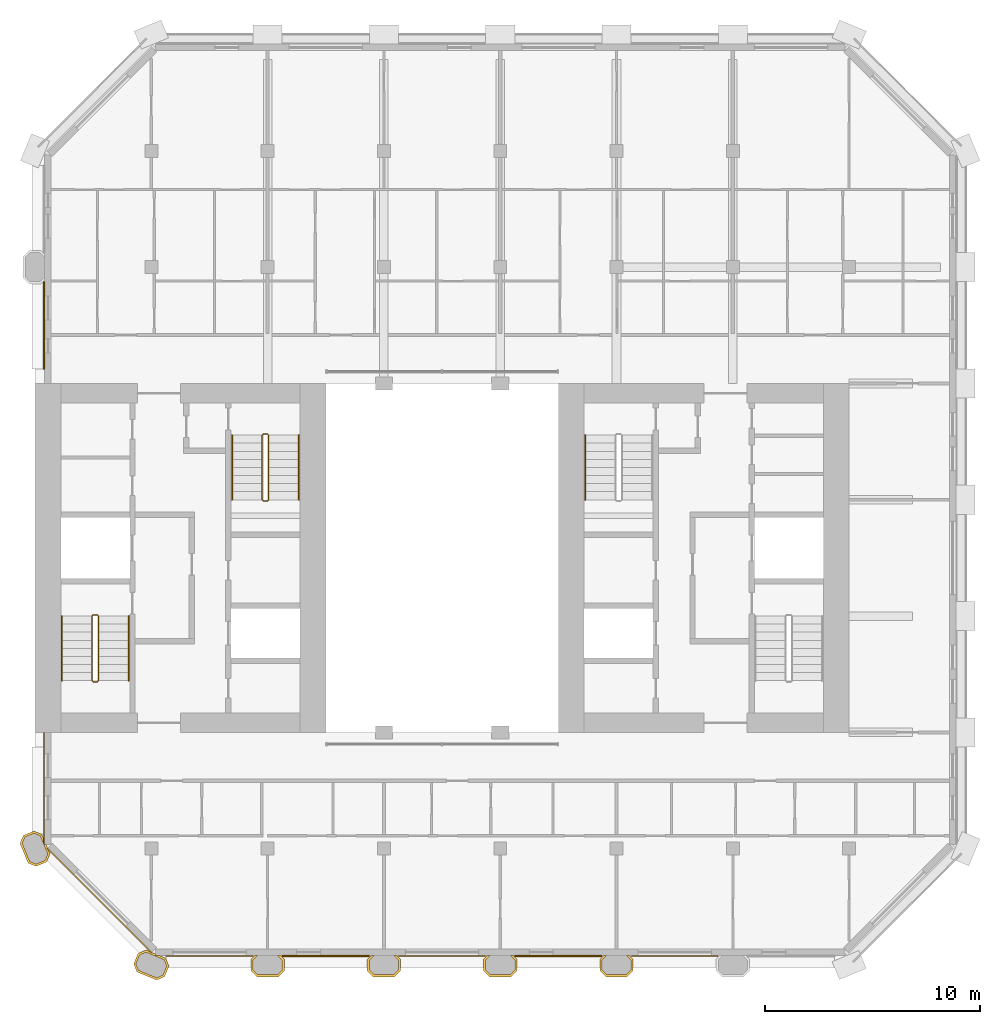
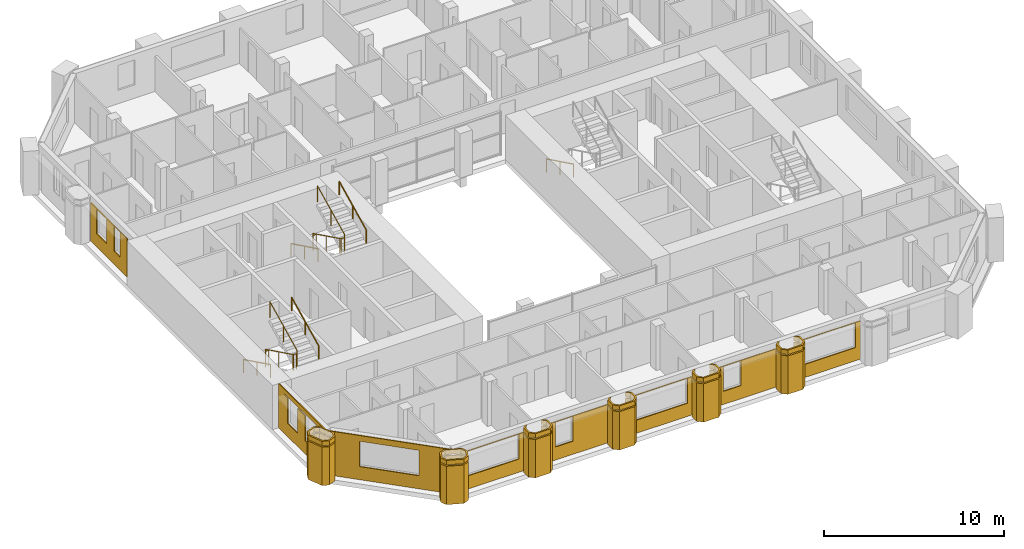
# One storey, part 11 of 13: 20 coverings, 7 railings.
"""IFC4 building model written with IfcOpenShell, lengths in metres."""

from ifc_helpers import new_model, si_unit, direction, frame, origin, origin_2d, place, context, subcontext, project, spatial, polyline, circle, outline, extrude, material, layer, layer_set, type_object, element, save


model = new_model("IFC4")

# Units and contexts
model_context = context("Model", 3, precision=1e-05, world=origin(), true_north=direction((0.0, 1.0)))
body_context = subcontext(model_context, "Body", "Model", "MODEL_VIEW")
ifc_project = project(units=[si_unit("LENGTHUNIT", "METRE"), si_unit("AREAUNIT", "SQUARE_METRE"), si_unit("VOLUMEUNIT", "CUBIC_METRE"), si_unit("PLANEANGLEUNIT", "RADIAN"), si_unit("MASSUNIT", "GRAM", prefix="KILO")], contexts=[model_context])

# Site, building, storey
site_placement = place(None, origin())
site = spatial("IfcSite", under=ifc_project, at=site_placement, CompositionType="ELEMENT")
building_placement = place(site_placement, origin())
building = spatial("IfcBuilding", under=site, at=building_placement, Name="Tabaq Tower and Sports Hall", CompositionType="ELEMENT")
storey_placement = place(building_placement, frame((0.0, 0.0, 295.0)))
storey = spatial("IfcBuildingStorey", under=building, at=storey_placement, Name="L73", CompositionType="ELEMENT", Elevation=295.0)

# Coverings
ifc_material_1 = material(Name="Precast concrete C60/75", Category="concrete")
ifc_layer_1 = layer(ifc_material_1, 0.10009765625)
ifc_layer_set_1 = layer_set([ifc_layer_1], Name="Column cladding 100")
covering_type_1 = type_object("IfcCoveringType", Name="Column cladding 100", PredefinedType="CLADDING", material=ifc_layer_set_1)
covering_1_placement = place(storey_placement, origin())
element("IfcCovering", 1, at=covering_1_placement, inside=storey, type_object=covering_type_1, Name="Column cladding L73 PC-2C-R2", PredefinedType="CLADDING", context=body_context, shape_type="SweptSolid", body=[
    extrude(outline(polyline([(5.450439453125, 9.982421875), (5.080078125, 10.1357421875), (4.7041015625, 11.04345703125), (4.857421875, 11.413818359375), (5.349609375, 11.61767578125), (5.7197265625, 11.46435546875), (5.789794921875, 11.295654296875), (5.789794921875, 11.04296875), (5.849609375, 11.04296875), (5.849609375, 10.986083984375), (5.91796875, 10.986083984375), (5.9814453125, 10.83251953125), (5.9501953125, 10.801025390625), (6.026123046875, 10.72509765625), (6.095947265625, 10.556396484375), (5.9423828125, 10.186279296875), (5.450439453125, 9.982421875)]), holes=[polyline([(5.349609375, 11.510009765625), (4.93359375, 11.337646484375), (4.811767578125, 11.04345703125), (5.15625, 10.2119140625), (5.450439453125, 10.08984375), (5.866455078125, 10.26220703125), (5.98828125, 10.556396484375), (5.643798828125, 11.38818359375), (5.349609375, 11.510009765625)])]), origin(), (0.0, 0.0, 1.0), 2.60009765625),
])
covering_2_placement = place(storey_placement, frame((0.0, 0.0, 2.699951171875)))
element("IfcCovering", 2, at=covering_2_placement, inside=storey, type_object=covering_type_1, Name="Column cladding L73 PC-2C-R2 2", PredefinedType="CLADDING", context=body_context, shape_type="SweptSolid", body=[
    extrude(outline(polyline([(5.450439453125, 9.982421875), (5.080078125, 10.1357421875), (4.7041015625, 11.04345703125), (4.857421875, 11.413818359375), (5.349609375, 11.61767578125), (5.7197265625, 11.46435546875), (5.789794921875, 11.295654296875), (5.789794921875, 11.04296875), (5.849609375, 11.04296875), (5.849609375, 10.986083984375), (5.91796875, 10.986083984375), (5.9814453125, 10.83251953125), (5.9501953125, 10.801025390625), (6.026123046875, 10.72509765625), (6.095947265625, 10.556396484375), (5.9423828125, 10.186279296875), (5.450439453125, 9.982421875)]), holes=[polyline([(5.349609375, 11.510009765625), (4.93359375, 11.337646484375), (4.811767578125, 11.04345703125), (5.15625, 10.2119140625), (5.450439453125, 10.08984375), (5.866455078125, 10.26220703125), (5.98828125, 10.556396484375), (5.643798828125, 11.38818359375), (5.349609375, 11.510009765625)])]), origin(), (0.0, 0.0, 1.0), 0.300048828125),
])
covering_3_placement = place(storey_placement, origin())
element("IfcCovering", 3, at=covering_3_placement, inside=storey, type_object=covering_type_1, Name="Column cladding L73 PC-3B-R2", PredefinedType="CLADDING", context=body_context, shape_type="SweptSolid", body=[
    extrude(outline(polyline([(11.413818359375, 4.857421875), (11.04345703125, 4.7041015625), (10.1357421875, 5.080078125), (9.982421875, 5.450439453125), (10.186279296875, 5.9423828125), (10.556396484375, 6.095947265625), (10.72509765625, 6.026123046875), (10.801025390625, 5.9501953125), (10.83251953125, 5.9814453125), (10.986083984375, 5.91796875), (10.986083984375, 5.849609375), (11.15087890625, 5.849609375), (11.46435546875, 5.7197265625), (11.61767578125, 5.349609375), (11.413818359375, 4.857421875)]), holes=[polyline([(10.26220703125, 5.866455078125), (10.08984375, 5.450439453125), (10.2119140625, 5.15625), (11.04345703125, 4.811767578125), (11.337646484375, 4.93359375), (11.510009765625, 5.349609375), (11.38818359375, 5.643798828125), (10.556396484375, 5.98828125), (10.26220703125, 5.866455078125)])]), origin(), (0.0, 0.0, 1.0), 2.60009765625),
])
covering_4_placement = place(storey_placement, frame((0.0, 0.0, 2.699951171875)))
element("IfcCovering", 4, at=covering_4_placement, inside=storey, type_object=covering_type_1, Name="Column cladding L73 PC-3B-R2 2", PredefinedType="CLADDING", context=body_context, shape_type="SweptSolid", body=[
    extrude(outline(polyline([(11.413818359375, 4.857421875), (11.04345703125, 4.7041015625), (10.1357421875, 5.080078125), (9.982421875, 5.450439453125), (10.186279296875, 5.9423828125), (10.556396484375, 6.095947265625), (10.72509765625, 6.026123046875), (10.801025390625, 5.9501953125), (10.83251953125, 5.9814453125), (10.986083984375, 5.91796875), (10.986083984375, 5.849609375), (11.15087890625, 5.849609375), (11.46435546875, 5.7197265625), (11.61767578125, 5.349609375), (11.413818359375, 4.857421875)]), holes=[polyline([(10.26220703125, 5.866455078125), (10.08984375, 5.450439453125), (10.2119140625, 5.15625), (11.04345703125, 4.811767578125), (11.337646484375, 4.93359375), (11.510009765625, 5.349609375), (11.38818359375, 5.643798828125), (10.556396484375, 5.98828125), (10.26220703125, 5.866455078125)])]), origin(), (0.0, 0.0, 1.0), 0.300048828125),
])
covering_5_placement = place(storey_placement, origin())
element("IfcCovering", 5, at=covering_5_placement, inside=storey, type_object=covering_type_1, Name="Column cladding L73 PC-4B-R2", PredefinedType="CLADDING", context=body_context, shape_type="SweptSolid", body=[
    extrude(outline(polyline([(15.42529296875, 5.666259765625), (15.608642578125, 5.849609375), (15.749267578125, 5.849609375), (15.524658203125, 5.625244140625), (15.524658203125, 5.1748046875), (15.749755859375, 4.94970703125), (16.650146484375, 4.94970703125), (16.875244140625, 5.1748046875), (16.875244140625, 5.625244140625), (16.650634765625, 5.849609375), (16.791259765625, 5.849609375), (16.974609375, 5.666259765625), (16.974609375, 5.1337890625), (16.69140625, 4.850341796875), (15.708740234375, 4.850341796875), (15.42529296875, 5.1337890625), (15.42529296875, 5.666259765625)])), origin(), (0.0, 0.0, 1.0), 2.60009765625),
])
covering_6_placement = place(storey_placement, frame((0.0, 0.0, 2.699951171875)))
element("IfcCovering", 6, at=covering_6_placement, inside=storey, type_object=covering_type_1, Name="Column cladding L73 PC-4B-R2 2", PredefinedType="CLADDING", context=body_context, shape_type="SweptSolid", body=[
    extrude(outline(polyline([(15.42529296875, 5.666259765625), (15.608642578125, 5.849609375), (15.749267578125, 5.849609375), (15.524658203125, 5.625244140625), (15.524658203125, 5.1748046875), (15.749755859375, 4.94970703125), (16.650146484375, 4.94970703125), (16.875244140625, 5.1748046875), (16.875244140625, 5.625244140625), (16.650634765625, 5.849609375), (16.791259765625, 5.849609375), (16.974609375, 5.666259765625), (16.974609375, 5.1337890625), (16.69140625, 4.850341796875), (15.708740234375, 4.850341796875), (15.42529296875, 5.1337890625), (15.42529296875, 5.666259765625)])), origin(), (0.0, 0.0, 1.0), 0.300048828125),
])
covering_7_placement = place(storey_placement, origin())
element("IfcCovering", 7, at=covering_7_placement, inside=storey, type_object=covering_type_1, Name="Column cladding L73 PC-5B-R2", PredefinedType="CLADDING", context=body_context, shape_type="SweptSolid", body=[
    extrude(outline(polyline([(20.8251953125, 5.666259765625), (21.0087890625, 5.849609375), (21.149169921875, 5.849609375), (20.9248046875, 5.625244140625), (20.9248046875, 5.1748046875), (21.14990234375, 4.94970703125), (22.050048828125, 4.94970703125), (22.275390625, 5.1748046875), (22.275390625, 5.625244140625), (22.05078125, 5.849609375), (22.19140625, 5.849609375), (22.374755859375, 5.666259765625), (22.374755859375, 5.1337890625), (22.09130859375, 4.850341796875), (21.108642578125, 4.850341796875), (20.8251953125, 5.1337890625), (20.8251953125, 5.666259765625)])), origin(), (0.0, 0.0, 1.0), 2.60009765625),
])
covering_8_placement = place(storey_placement, frame((0.0, 0.0, 2.699951171875)))
element("IfcCovering", 8, at=covering_8_placement, inside=storey, type_object=covering_type_1, Name="Column cladding L73 PC-5B-R2 2", PredefinedType="CLADDING", context=body_context, shape_type="SweptSolid", body=[
    extrude(outline(polyline([(20.8251953125, 5.666259765625), (21.0087890625, 5.849609375), (21.149169921875, 5.849609375), (20.9248046875, 5.625244140625), (20.9248046875, 5.1748046875), (21.14990234375, 4.94970703125), (22.050048828125, 4.94970703125), (22.275390625, 5.1748046875), (22.275390625, 5.625244140625), (22.05078125, 5.849609375), (22.19140625, 5.849609375), (22.374755859375, 5.666259765625), (22.374755859375, 5.1337890625), (22.09130859375, 4.850341796875), (21.108642578125, 4.850341796875), (20.8251953125, 5.1337890625), (20.8251953125, 5.666259765625)])), origin(), (0.0, 0.0, 1.0), 0.300048828125),
])
covering_9_placement = place(storey_placement, origin())
element("IfcCovering", 9, at=covering_9_placement, inside=storey, type_object=covering_type_1, Name="Column cladding L73 PC-6B-R2", PredefinedType="CLADDING", context=body_context, shape_type="SweptSolid", body=[
    extrude(outline(polyline([(26.225341796875, 5.666259765625), (26.40869140625, 5.849609375), (26.54931640625, 5.849609375), (26.32470703125, 5.625244140625), (26.32470703125, 5.1748046875), (26.5498046875, 4.94970703125), (27.4501953125, 4.94970703125), (27.67529296875, 5.1748046875), (27.67529296875, 5.625244140625), (27.45068359375, 5.849609375), (27.59130859375, 5.849609375), (27.774658203125, 5.666259765625), (27.774658203125, 5.1337890625), (27.4912109375, 4.850341796875), (26.5087890625, 4.850341796875), (26.225341796875, 5.1337890625), (26.225341796875, 5.666259765625)])), origin(), (0.0, 0.0, 1.0), 2.60009765625),
])
covering_10_placement = place(storey_placement, frame((0.0, 0.0, 2.699951171875)))
element("IfcCovering", 10, at=covering_10_placement, inside=storey, type_object=covering_type_1, Name="Column cladding L73 PC-6B-R2 2", PredefinedType="CLADDING", context=body_context, shape_type="SweptSolid", body=[
    extrude(outline(polyline([(26.225341796875, 5.666259765625), (26.40869140625, 5.849609375), (26.54931640625, 5.849609375), (26.32470703125, 5.625244140625), (26.32470703125, 5.1748046875), (26.5498046875, 4.94970703125), (27.4501953125, 4.94970703125), (27.67529296875, 5.1748046875), (27.67529296875, 5.625244140625), (27.45068359375, 5.849609375), (27.59130859375, 5.849609375), (27.774658203125, 5.666259765625), (27.774658203125, 5.1337890625), (27.4912109375, 4.850341796875), (26.5087890625, 4.850341796875), (26.225341796875, 5.1337890625), (26.225341796875, 5.666259765625)])), origin(), (0.0, 0.0, 1.0), 0.300048828125),
])
covering_11_placement = place(storey_placement, origin())
element("IfcCovering", 11, at=covering_11_placement, inside=storey, type_object=covering_type_1, Name="Column cladding L73 PC-7B-R2", PredefinedType="CLADDING", context=body_context, shape_type="SweptSolid", body=[
    extrude(outline(polyline([(31.625244140625, 5.666259765625), (31.80859375, 5.849609375), (31.94921875, 5.849609375), (31.724609375, 5.625244140625), (31.724609375, 5.1748046875), (31.949951171875, 4.94970703125), (32.85009765625, 4.94970703125), (33.0751953125, 5.1748046875), (33.0751953125, 5.625244140625), (32.850830078125, 5.849609375), (32.9912109375, 5.849609375), (33.1748046875, 5.666259765625), (33.1748046875, 5.1337890625), (32.891357421875, 4.850341796875), (31.90869140625, 4.850341796875), (31.625244140625, 5.1337890625), (31.625244140625, 5.666259765625)])), origin(), (0.0, 0.0, 1.0), 2.60009765625),
])
covering_12_placement = place(storey_placement, frame((0.0, 0.0, 2.699951171875)))
element("IfcCovering", 12, at=covering_12_placement, inside=storey, type_object=covering_type_1, Name="Column cladding L73 PC-7B-R2 2", PredefinedType="CLADDING", context=body_context, shape_type="SweptSolid", body=[
    extrude(outline(polyline([(31.625244140625, 5.666259765625), (31.80859375, 5.849609375), (31.94921875, 5.849609375), (31.724609375, 5.625244140625), (31.724609375, 5.1748046875), (31.949951171875, 4.94970703125), (32.85009765625, 4.94970703125), (33.0751953125, 5.1748046875), (33.0751953125, 5.625244140625), (32.850830078125, 5.849609375), (32.9912109375, 5.849609375), (33.1748046875, 5.666259765625), (33.1748046875, 5.1337890625), (32.891357421875, 4.850341796875), (31.90869140625, 4.850341796875), (31.625244140625, 5.1337890625), (31.625244140625, 5.666259765625)])), origin(), (0.0, 0.0, 1.0), 0.300048828125),
])

# Railings
ifc_material_2 = material(Name="Stainless steel", Category="steel")
railing_type_1 = type_object("IfcRailingType", Name="Stair guard", PredefinedType="GUARDRAIL", material=ifc_material_2)
railing_1_placement = place(storey_placement, frame((8.300048828125, 21.64990234375, 0.0)))
element("IfcRailing", 13, at=railing_1_placement, inside=storey, type_object=railing_type_1, Name="L73 ST1 stair guard 1", PredefinedType="GUARDRAIL", context=body_context, shape_type="SweptSolid", body=[
    extrude(circle(Radius=0.02392578125, at=origin_2d()), frame((0.0, 0.0, 1.076171875), z_axis=(-1.0, 0.0, 0.0), x_axis=(0.0, -1.0, 0.0)), (0.0, 0.0, 1.0), 0.199951171875),
    extrude(circle(Radius=0.02392578125, at=origin_2d()), frame((-0.199951171875, 0.0, 1.076171875), z_axis=(-0.254733673405, -0.25349107012, 0.933195066962), x_axis=(0.705375805398, -0.708833529934, 0.0)), (0.0, 0.0, 1.0), 0.196533203125),
    extrude(circle(Radius=0.02392578125, at=origin_2d()), frame((-0.25, -0.0498046875, 1.25927734375), z_axis=(0.0, -0.898397823093, 0.439182594671), x_axis=(1.0, 0.0, 0.0)), (0.0, 0.0, 1.0), 3.33935546875),
    extrude(circle(Radius=0.02392578125, at=origin_2d()), frame((-0.25, -3.0498046875, 2.72607421875), z_axis=(0.707106781187, -0.707106781187, 0.0), x_axis=(0.707106781187, 0.707106781187, 0.0)), (0.0, 0.0, 1.0), 0.07080078125),
    extrude(circle(Radius=0.02392578125, at=origin_2d()), frame((-0.199951171875, -3.099853515625, 2.72607421875), z_axis=(1.0, 0.0, 0.0), x_axis=(0.0, 1.0, 0.0)), (0.0, 0.0, 1.0), 0.199951171875),
    extrude(circle(Radius=0.02392578125, at=origin_2d()), frame((0.0, -3.099853515625, 2.72607421875), z_axis=(0.254653276557, 0.254653276557, 0.932900539971), x_axis=(-0.707106781187, 0.707106781187, 0.0)), (0.0, 0.0, 1.0), 0.196533203125),
    extrude(circle(Radius=0.02392578125, at=origin_2d()), frame((0.050048828125, -3.0498046875, 2.9091796875), z_axis=(0.0, 0.898368975038, 0.439241601728), x_axis=(-1.0, 0.0, 0.0)), (0.0, 0.0, 1.0), 3.33935546875),
    extrude(circle(Radius=0.02099609375, at=origin_2d()), origin(), (0.0, 0.0, 1.0), 1.052001953125),
    extrude(circle(Radius=0.02099609375, at=origin_2d()), frame((-0.199951171875, 0.0, 0.0)), (0.0, 0.0, 1.0), 1.052001953125),
    extrude(circle(Radius=0.02099609375, at=origin_2d()), frame((-0.25, -0.0498046875, 0.183349609375)), (0.0, 0.0, 1.0), 1.052001953125),
    extrude(circle(Radius=0.02099609375, at=origin_2d()), frame((-0.25, -1.5498046875, 0.91650390625)), (0.0, 0.0, 1.0), 1.052001953125),
    extrude(circle(Radius=0.02099609375, at=origin_2d()), frame((-0.25, -3.0498046875, 1.64990234375)), (0.0, 0.0, 1.0), 1.052001953125),
    extrude(circle(Radius=0.02099609375, at=origin_2d()), frame((-0.199951171875, -3.099853515625, 1.64990234375)), (0.0, 0.0, 1.0), 1.052001953125),
    extrude(circle(Radius=0.02099609375, at=origin_2d()), frame((0.0, -3.099853515625, 1.64990234375)), (0.0, 0.0, 1.0), 1.052001953125),
    extrude(circle(Radius=0.02099609375, at=origin_2d()), frame((0.050048828125, -3.0498046875, 1.833251953125)), (0.0, 0.0, 1.0), 1.052001953125),
    extrude(circle(Radius=0.02099609375, at=origin_2d()), frame((0.050048828125, -1.5498046875, 2.566650390625)), (0.0, 0.0, 1.0), 1.052001953125),
    extrude(circle(Radius=0.02099609375, at=origin_2d()), frame((0.050048828125, -0.0498046875, 3.300048828125)), (0.0, 0.0, 1.0), 1.052001953125),
])
railing_2_placement = place(storey_placement, frame((16.199951171875, 30.050048828125, 0.0)))
element("IfcRailing", 14, at=railing_2_placement, inside=storey, type_object=railing_type_1, Name="L73 ST2 stair guard 1", PredefinedType="GUARDRAIL", context=body_context, shape_type="SweptSolid", body=[
    extrude(circle(Radius=0.02392578125, at=origin_2d()), frame((0.0, 0.0, 1.076171875), z_axis=(-1.0, 0.0, 0.0), x_axis=(0.0, -1.0, 0.0)), (0.0, 0.0, 1.0), 0.199951171875),
    extrude(circle(Radius=0.02392578125, at=origin_2d()), frame((-0.199951171875, 0.0, 1.076171875), z_axis=(-0.254653276557, -0.254653276557, 0.932900539971), x_axis=(0.707106781187, -0.707106781187, 0.0)), (0.0, 0.0, 1.0), 0.196533203125),
    extrude(circle(Radius=0.02392578125, at=origin_2d()), frame((-0.25, -0.050048828125, 1.25927734375), z_axis=(0.0, -0.898397823093, 0.439182594671), x_axis=(1.0, 0.0, 0.0)), (0.0, 0.0, 1.0), 3.33935546875),
    extrude(circle(Radius=0.02392578125, at=origin_2d()), frame((-0.25, -3.050048828125, 2.72607421875), z_axis=(0.707106781187, -0.707106781187, 0.0), x_axis=(0.707106781187, 0.707106781187, 0.0)), (0.0, 0.0, 1.0), 0.07080078125),
    extrude(circle(Radius=0.02392578125, at=origin_2d()), frame((-0.199951171875, -3.10009765625, 2.72607421875), z_axis=(1.0, 0.0, 0.0), x_axis=(0.0, 1.0, 0.0)), (0.0, 0.0, 1.0), 0.199951171875),
    extrude(circle(Radius=0.02392578125, at=origin_2d()), frame((0.0, -3.10009765625, 2.72607421875), z_axis=(0.254653276557, 0.254653276557, 0.932900539971), x_axis=(-0.707106781187, 0.707106781187, 0.0)), (0.0, 0.0, 1.0), 0.196533203125),
    extrude(circle(Radius=0.02392578125, at=origin_2d()), frame((0.050048828125, -3.050048828125, 2.9091796875), z_axis=(0.0, 0.898368975038, 0.439241601728), x_axis=(-1.0, 0.0, 0.0)), (0.0, 0.0, 1.0), 3.33935546875),
    extrude(circle(Radius=0.02099609375, at=origin_2d()), origin(), (0.0, 0.0, 1.0), 1.052001953125),
    extrude(circle(Radius=0.02099609375, at=origin_2d()), frame((-0.199951171875, 0.0, 0.0)), (0.0, 0.0, 1.0), 1.052001953125),
    extrude(circle(Radius=0.02099609375, at=origin_2d()), frame((-0.25, -0.050048828125, 0.183349609375)), (0.0, 0.0, 1.0), 1.052001953125),
    extrude(circle(Radius=0.02099609375, at=origin_2d()), frame((-0.25, -1.550048828125, 0.91650390625)), (0.0, 0.0, 1.0), 1.052001953125),
    extrude(circle(Radius=0.02099609375, at=origin_2d()), frame((-0.25, -3.050048828125, 1.64990234375)), (0.0, 0.0, 1.0), 1.052001953125),
    extrude(circle(Radius=0.02099609375, at=origin_2d()), frame((-0.199951171875, -3.10009765625, 1.64990234375)), (0.0, 0.0, 1.0), 1.052001953125),
    extrude(circle(Radius=0.02099609375, at=origin_2d()), frame((0.0, -3.10009765625, 1.64990234375)), (0.0, 0.0, 1.0), 1.052001953125),
    extrude(circle(Radius=0.02099609375, at=origin_2d()), frame((0.050048828125, -3.050048828125, 1.833251953125)), (0.0, 0.0, 1.0), 1.052001953125),
    extrude(circle(Radius=0.02099609375, at=origin_2d()), frame((0.050048828125, -1.550048828125, 2.566650390625)), (0.0, 0.0, 1.0), 1.052001953125),
    extrude(circle(Radius=0.02099609375, at=origin_2d()), frame((0.050048828125, -0.050048828125, 3.300048828125)), (0.0, 0.0, 1.0), 1.052001953125),
])
ifc_material_3 = material(Name="Stainless steel", Category="steel")
railing_type_2 = type_object("IfcRailingType", Name="Stair handrail", PredefinedType="HANDRAIL", material=ifc_material_3)
railing_3_placement = place(storey_placement, frame((6.64990234375, 21.60009765625, 0.183349609375)))
element("IfcRailing", 15, at=railing_3_placement, inside=storey, type_object=railing_type_2, Name="L73 ST1 stair handrail 1", PredefinedType="HANDRAIL", context=body_context, shape_type="SweptSolid", body=[
    extrude(circle(Radius=0.02392578125, at=origin_2d()), frame((0.0, 0.0, 0.8759765625), z_axis=(0.0, -0.898397823093, 0.439182594671), x_axis=(1.0, 0.0, 0.0)), (0.0, 0.0, 1.0), 3.33935546875),
    extrude(circle(Radius=0.02099609375, at=origin_2d()), origin(), (0.0, 0.0, 1.0), 0.851806640625),
    extrude(circle(Radius=0.02099609375, at=origin_2d()), frame((0.0, -1.5, 0.7333984375)), (0.0, 0.0, 1.0), 0.851806640625),
    extrude(circle(Radius=0.02099609375, at=origin_2d()), frame((0.0, -3.0, 1.466552734375)), (0.0, 0.0, 1.0), 0.851806640625),
])
railing_4_placement = place(storey_placement, frame((9.75, 18.60009765625, 1.833251953125)))
element("IfcRailing", 16, at=railing_4_placement, inside=storey, type_object=railing_type_2, Name="L73 ST1 stair handrail 2", PredefinedType="HANDRAIL", context=body_context, shape_type="SweptSolid", body=[
    extrude(circle(Radius=0.02392578125, at=origin_2d()), frame((0.0, 0.0, 0.8759765625), z_axis=(0.0, 0.898368975038, 0.439241601728), x_axis=(-1.0, 0.0, 0.0)), (0.0, 0.0, 1.0), 3.33935546875),
    extrude(circle(Radius=0.02099609375, at=origin_2d()), origin(), (0.0, 0.0, 1.0), 0.851806640625),
    extrude(circle(Radius=0.02099609375, at=origin_2d()), frame((0.0, 1.5, 0.7333984375)), (0.0, 0.0, 1.0), 0.851806640625),
    extrude(circle(Radius=0.02099609375, at=origin_2d()), frame((0.0, 3.0, 1.466796875)), (0.0, 0.0, 1.0), 0.851806640625),
])
railing_5_placement = place(storey_placement, frame((14.550048828125, 30.0, 0.183349609375)))
element("IfcRailing", 17, at=railing_5_placement, inside=storey, type_object=railing_type_2, Name="L73 ST2 stair handrail 1", PredefinedType="HANDRAIL", context=body_context, shape_type="SweptSolid", body=[
    extrude(circle(Radius=0.02392578125, at=origin_2d()), frame((0.0, 0.0, 0.8759765625), z_axis=(0.0, -0.898397823093, 0.439182594671), x_axis=(1.0, 0.0, 0.0)), (0.0, 0.0, 1.0), 3.33935546875),
    extrude(circle(Radius=0.02099609375, at=origin_2d()), origin(), (0.0, 0.0, 1.0), 0.851806640625),
    extrude(circle(Radius=0.02099609375, at=origin_2d()), frame((0.0, -1.5, 0.7333984375)), (0.0, 0.0, 1.0), 0.851806640625),
    extrude(circle(Radius=0.02099609375, at=origin_2d()), frame((0.0, -3.0, 1.466552734375)), (0.0, 0.0, 1.0), 0.851806640625),
])
railing_6_placement = place(storey_placement, frame((17.64990234375, 27.0, 1.833251953125)))
element("IfcRailing", 18, at=railing_6_placement, inside=storey, type_object=railing_type_2, Name="L73 ST2 stair handrail 2", PredefinedType="HANDRAIL", context=body_context, shape_type="SweptSolid", body=[
    extrude(circle(Radius=0.02392578125, at=origin_2d()), frame((0.0, 0.0, 0.8759765625), z_axis=(0.0, 0.898368975038, 0.439241601728), x_axis=(-1.0, 0.0, 0.0)), (0.0, 0.0, 1.0), 3.33935546875),
    extrude(circle(Radius=0.02099609375, at=origin_2d()), origin(), (0.0, 0.0, 1.0), 0.851806640625),
    extrude(circle(Radius=0.02099609375, at=origin_2d()), frame((0.0, 1.5, 0.7333984375)), (0.0, 0.0, 1.0), 0.851806640625),
    extrude(circle(Radius=0.02099609375, at=origin_2d()), frame((0.0, 3.0, 1.466796875)), (0.0, 0.0, 1.0), 0.851806640625),
])
railing_7_placement = place(storey_placement, frame((30.949951171875, 30.0, 0.183349609375)))
element("IfcRailing", 19, at=railing_7_placement, inside=storey, type_object=railing_type_2, Name="L73 ST4 stair handrail 1", PredefinedType="HANDRAIL", context=body_context, shape_type="SweptSolid", body=[
    extrude(circle(Radius=0.02392578125, at=origin_2d()), frame((0.0, 0.0, 0.8759765625), z_axis=(0.0, -0.898397823093, 0.439182594671), x_axis=(1.0, 0.0, 0.0)), (0.0, 0.0, 1.0), 3.33935546875),
    extrude(circle(Radius=0.02099609375, at=origin_2d()), origin(), (0.0, 0.0, 1.0), 0.851806640625),
    extrude(circle(Radius=0.02099609375, at=origin_2d()), frame((0.0, -1.5, 0.7333984375)), (0.0, 0.0, 1.0), 0.851806640625),
    extrude(circle(Radius=0.02099609375, at=origin_2d()), frame((0.0, -3.0, 1.466552734375)), (0.0, 0.0, 1.0), 0.851806640625),
])

# Coverings
ifc_material_4 = material(Name="Precast concrete C60/75", Category="concrete")
ifc_layer_2 = layer(ifc_material_4, 0.06005859375)
ifc_layer_set_2 = layer_set([ifc_layer_2], Name="White precast cladding panel 60 C60/75")
covering_type_2 = type_object("IfcCoveringType", Name="White precast cladding panel 60 C60/75", PredefinedType="CLADDING", material=ifc_layer_set_2)
covering_13_placement = place(storey_placement, frame((11.465087890625, 5.820068359375, 0.0), z_axis=(0.0, 0.0, 1.0), x_axis=(1.0, 0.0, 0.0)))
element("IfcCovering", 20, at=covering_13_placement, inside=storey, type_object=covering_type_2, Name="White precast cladding panel L73 wall00", PredefinedType="CLADDING", context=body_context, shape_type="SweptSolid", body=[
    extrude(outline(polyline([(0.0, 0.0), (4.0498046875, 0.0), (4.0498046875, 2.590087890625), (0.0, 2.590087890625), (0.0, 0.0)]), holes=[polyline([(3.7451171875, 0.889892578125), (0.324951171875, 0.889892578125), (0.324951171875, 2.56005859375), (3.7451171875, 2.56005859375), (3.7451171875, 0.889892578125)])]), frame((0.0, 0.030029296875, 0.0), z_axis=(0.0, -1.0, 0.0), x_axis=(1.0, 0.0, 0.0)), (0.0, 0.0, 1.0), 0.06005859375),
])
covering_14_placement = place(storey_placement, frame((16.885009765625, 5.820068359375, 0.0), z_axis=(0.0, 0.0, 1.0), x_axis=(1.0, 0.0, 0.0)))
element("IfcCovering", 21, at=covering_14_placement, inside=storey, type_object=covering_type_2, Name="White precast cladding panel L73 wall00 2", PredefinedType="CLADDING", context=body_context, shape_type="SweptSolid", body=[
    extrude(outline(polyline([(0.0, 0.0), (4.030029296875, 0.0), (4.030029296875, 2.590087890625), (0.0, 2.590087890625), (0.0, 0.0)]), holes=[polyline([(1.77490234375, 0.889892578125), (0.655029296875, 0.889892578125), (0.655029296875, 2.56005859375), (1.77490234375, 2.56005859375), (1.77490234375, 0.889892578125)])]), frame((0.0, 0.030029296875, 0.0), z_axis=(0.0, -1.0, 0.0), x_axis=(1.0, 0.0, 0.0)), (0.0, 0.0, 1.0), 0.06005859375),
])
covering_15_placement = place(storey_placement, frame((22.284912109375, 5.820068359375, 0.0), z_axis=(0.0, 0.0, 1.0), x_axis=(1.0, 0.0, 0.0)))
element("IfcCovering", 22, at=covering_15_placement, inside=storey, type_object=covering_type_2, Name="White precast cladding panel L73 wall00 3", PredefinedType="CLADDING", context=body_context, shape_type="SweptSolid", body=[
    extrude(outline(polyline([(0.0, 0.0), (4.030029296875, 0.0), (4.030029296875, 2.590087890625), (0.0, 2.590087890625), (0.0, 0.0)]), holes=[polyline([(3.72509765625, 0.889892578125), (0.304931640625, 0.889892578125), (0.304931640625, 2.56005859375), (3.72509765625, 2.56005859375), (3.72509765625, 0.889892578125)])]), frame((0.0, 0.030029296875, 0.0), z_axis=(0.0, -1.0, 0.0), x_axis=(1.0, 0.0, 0.0)), (0.0, 0.0, 1.0), 0.06005859375),
])
covering_16_placement = place(storey_placement, frame((27.68505859375, 5.820068359375, 0.0), z_axis=(0.0, 0.0, 1.0), x_axis=(1.0, 0.0, 0.0)))
element("IfcCovering", 23, at=covering_16_placement, inside=storey, type_object=covering_type_2, Name="White precast cladding panel L73 wall00 4", PredefinedType="CLADDING", context=body_context, shape_type="SweptSolid", body=[
    extrude(outline(polyline([(0.0, 0.0), (4.030029296875, 0.0), (4.030029296875, 2.590087890625), (0.0, 2.590087890625), (0.0, 0.0)]), holes=[polyline([(1.77490234375, 0.889892578125), (0.655029296875, 0.889892578125), (0.655029296875, 2.56005859375), (1.77490234375, 2.56005859375), (1.77490234375, 0.889892578125)])]), frame((0.0, 0.030029296875, 0.0), z_axis=(0.0, -1.0, 0.0), x_axis=(1.0, 0.0, 0.0)), (0.0, 0.0, 1.0), 0.06005859375),
])
covering_17_placement = place(storey_placement, frame((33.0849609375, 5.820068359375, 0.0), z_axis=(0.0, 0.0, 1.0), x_axis=(1.0, 0.0, 0.0)))
element("IfcCovering", 24, at=covering_17_placement, inside=storey, type_object=covering_type_2, Name="White precast cladding panel L73 wall00 5", PredefinedType="CLADDING", context=body_context, shape_type="SweptSolid", body=[
    extrude(outline(polyline([(0.0, 0.0), (4.030029296875, 0.0), (4.030029296875, 2.590087890625), (0.0, 2.590087890625), (0.0, 0.0)]), holes=[polyline([(3.72509765625, 0.889892578125), (0.304931640625, 0.889892578125), (0.304931640625, 2.56005859375), (3.72509765625, 2.56005859375), (3.72509765625, 0.889892578125)])]), frame((0.0, 0.030029296875, 0.0), z_axis=(0.0, -1.0, 0.0), x_axis=(1.0, 0.0, 0.0)), (0.0, 0.0, 1.0), 0.06005859375),
])
covering_18_placement = place(storey_placement, frame((5.820068359375, 37.114990234375, 0.0), z_axis=(0.0, 0.0, 1.0), x_axis=(0.0, -1.0, 0.0)))
element("IfcCovering", 25, at=covering_18_placement, inside=storey, type_object=covering_type_2, Name="White precast cladding panel L73 wall06 2", PredefinedType="CLADDING", context=body_context, shape_type="SweptSolid", body=[
    extrude(outline(polyline([(0.0, 0.0), (4.050048828125, 0.0), (4.050048828125, 2.590087890625), (0.0, 2.590087890625), (0.0, 0.0)]), holes=[polyline([(0.655029296875, 0.889892578125), (0.655029296875, 2.56005859375), (1.77490234375, 2.56005859375), (1.77490234375, 0.889892578125), (0.655029296875, 0.889892578125)]), polyline([(2.6298828125, 0.889892578125), (2.6298828125, 2.56005859375), (3.300048828125, 2.56005859375), (3.300048828125, 0.889892578125), (2.6298828125, 0.889892578125)])]), frame((0.0, 0.030029296875, 0.0), z_axis=(0.0, -1.0, 0.0), x_axis=(1.0, 0.0, 0.0)), (0.0, 0.0, 1.0), 0.06005859375),
])
covering_19_placement = place(storey_placement, frame((5.820068359375, 16.199951171875, 0.0), z_axis=(0.0, 0.0, 1.0), x_axis=(0.0, -1.0, 0.0)))
element("IfcCovering", 26, at=covering_19_placement, inside=storey, type_object=covering_type_2, Name="White precast cladding panel L73 wall06-1", PredefinedType="CLADDING", context=body_context, shape_type="SweptSolid", body=[
    extrude(outline(polyline([(0.0, 0.0), (5.15673828125, 0.0), (5.15673828125, 3.0), (0.0, 3.0), (0.0, 0.0)]), holes=[polyline([(0.989990234375, 2.590087890625), (0.6650390625, 2.590087890625), (0.6650390625, 2.7099609375), (4.735107421875, 2.7099609375), (4.735107421875, 2.590087890625), (4.06005859375, 2.590087890625), (4.06005859375, 0.889892578125), (2.93994140625, 0.889892578125), (2.93994140625, 2.590087890625), (2.110107421875, 2.590087890625), (2.110107421875, 0.889892578125), (0.989990234375, 0.889892578125), (0.989990234375, 2.590087890625)])]), frame((0.0, 0.030029296875, 0.0), z_axis=(0.0, -1.0, 0.0), x_axis=(1.0, 0.0, 0.0)), (0.0, 0.0, 1.0), 0.06005859375),
])
covering_20_placement = place(storey_placement, frame((5.9716796875, 10.822265625, 0.0), z_axis=(0.0, 0.0, 1.0), x_axis=(0.707106781187, -0.707106781187, 0.0)))
element("IfcCovering", 27, at=covering_20_placement, inside=storey, type_object=covering_type_2, Name="White precast cladding panel L73 wall07", PredefinedType="CLADDING", context=body_context, shape_type="SweptSolid", body=[
    extrude(outline(polyline([(0.0, 0.0), (6.85986328125, 0.0), (6.85986328125, 3.0), (0.0, 3.0), (0.0, 0.0)]), holes=[polyline([(1.7197265625, 0.889892578125), (1.7197265625, 2.610107421875), (5.139892578125, 2.610107421875), (5.139892578125, 0.889892578125), (1.7197265625, 0.889892578125)])]), frame((0.0, 0.030029296875, 0.0), z_axis=(0.0, -1.0, 0.0), x_axis=(1.0, 0.0, 0.0)), (0.0, 0.0, 1.0), 0.06005859375),
])

save(model, "model.ifc")
